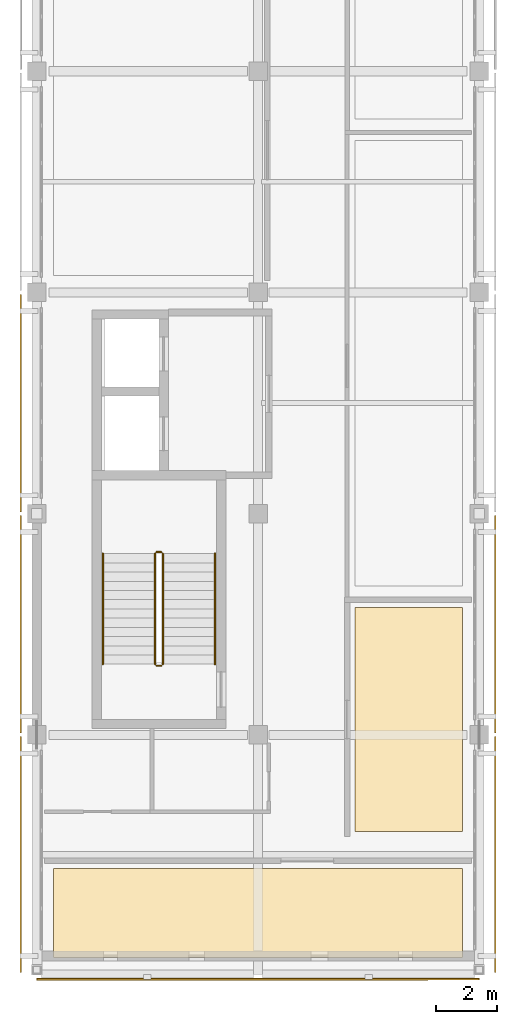
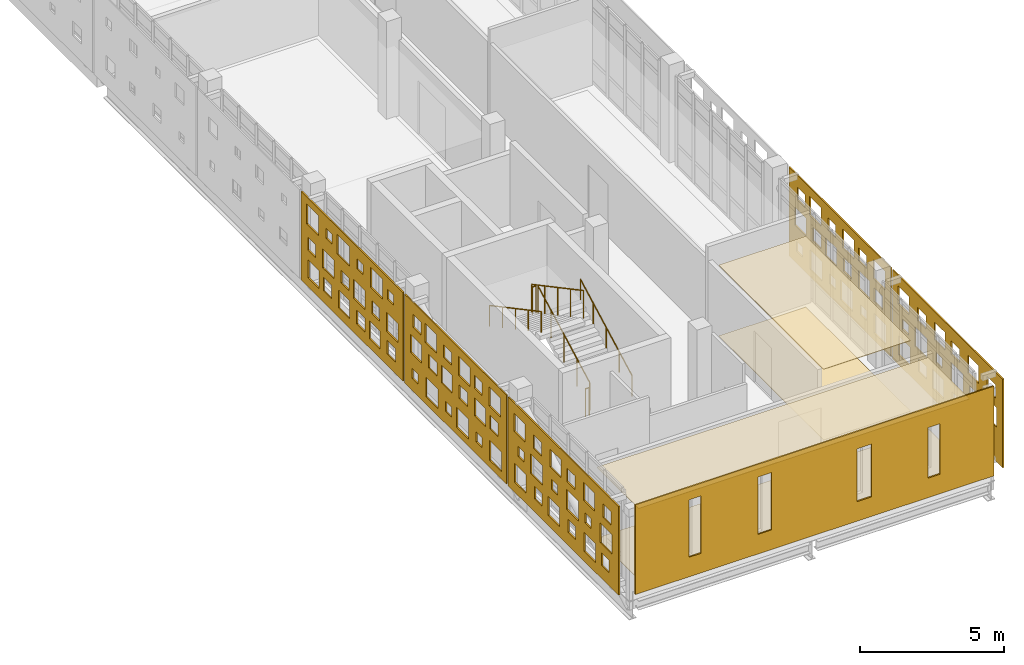
# One storey, part 19 of 21: 10 coverings, 6 railings.
"""IFC4 building model written with IfcOpenShell, lengths in metres."""

from ifc_helpers import new_model, si_unit, direction, frame, origin, origin_2d, place, context, subcontext, project, spatial, polyline, circle, outline, extrude, material, layer, layer_set, type_object, element, save


model = new_model("IFC4")

# Units and contexts
model_context = context("Model", 3, precision=1e-05, world=origin(), true_north=direction((0.0, 1.0)))
body_context = subcontext(model_context, "Body", "Model", "MODEL_VIEW")
ifc_project = project(units=[si_unit("LENGTHUNIT", "METRE"), si_unit("AREAUNIT", "SQUARE_METRE"), si_unit("VOLUMEUNIT", "CUBIC_METRE"), si_unit("PLANEANGLEUNIT", "RADIAN"), si_unit("MASSUNIT", "GRAM", prefix="KILO")], contexts=[model_context])

# Site, building, storey
site_placement = place(None, origin())
site = spatial("IfcSite", under=ifc_project, at=site_placement, CompositionType="ELEMENT")
building_placement = place(site_placement, origin())
building = spatial("IfcBuilding", under=site, at=building_placement, Name="Valkovuoma Quantum and Materials Research Institute", CompositionType="ELEMENT")
storey_placement = place(building_placement, frame((0.0, 0.0, 29.760009765625)))
storey = spatial("IfcBuildingStorey", under=building, at=storey_placement, Name="L07", CompositionType="ELEMENT", Elevation=29.760009765625)

# Coverings
ifc_material_1 = material(Name="Cleanable acoustic mineral-fibre suspended ceiling", Category="masonry")
ifc_layer_1 = layer(ifc_material_1, 0.02490234375)
ifc_layer_set_1 = layer_set([ifc_layer_1], Name="Cleanable acoustic mineral-fibre suspended ceiling")
covering_type_1 = type_object("IfcCoveringType", Name="Cov-CEIL-01", PredefinedType="CEILING", material=ifc_layer_set_1)
covering_1_placement = place(storey_placement, frame((0.0, 0.0, 3.0)))
element("IfcCovering", 1, at=covering_1_placement, inside=storey, type_object=covering_type_1, Name="L07 acoustic ceiling 0147", PredefinedType="CEILING", context=body_context, shape_type="SweptSolid", body=[
    extrude(outline(polyline([(0.550048828125, 21.550048828125), (13.85009765625, 21.550048828125), (13.85009765625, 24.449951171875), (0.550048828125, 24.449951171875), (0.550048828125, 21.550048828125)])), origin(), (0.0, 0.0, 1.0), 0.02490234375),
])
covering_2_placement = place(storey_placement, frame((0.0, 0.0, 3.0)))
element("IfcCovering", 2, at=covering_2_placement, inside=storey, type_object=covering_type_1, Name="L07 acoustic ceiling 0151", PredefinedType="CEILING", context=body_context, shape_type="SweptSolid", body=[
    extrude(outline(polyline([(10.35009765625, 25.64990234375), (13.85009765625, 25.64990234375), (13.85009765625, 32.949951171875), (10.35009765625, 32.949951171875), (10.35009765625, 25.64990234375)])), origin(), (0.0, 0.0, 1.0), 0.02490234375),
])
ifc_material_2 = material(Name="Seamless dissipative laboratory resin flooring", Category="masonry")
ifc_layer_2 = layer(ifc_material_2, 0.014892578125)
ifc_layer_set_2 = layer_set([ifc_layer_2], Name="Seamless dissipative laboratory resin flooring")
covering_type_2 = type_object("IfcCoveringType", Name="Cov-FLOR-01", PredefinedType="FLOORING", material=ifc_layer_set_2)
covering_3_placement = place(storey_placement, origin())
element("IfcCovering", 3, at=covering_3_placement, inside=storey, type_object=covering_type_2, Name="L07 resin flooring 0147", PredefinedType="FLOORING", context=body_context, shape_type="SweptSolid", body=[
    extrude(outline(polyline([(0.550048828125, 21.550048828125), (13.85009765625, 21.550048828125), (13.85009765625, 24.449951171875), (0.550048828125, 24.449951171875), (0.550048828125, 21.550048828125)])), origin(), (0.0, 0.0, 1.0), 0.014892578125),
])
covering_4_placement = place(storey_placement, origin())
element("IfcCovering", 4, at=covering_4_placement, inside=storey, type_object=covering_type_2, Name="L07 resin flooring 0151", PredefinedType="FLOORING", context=body_context, shape_type="SweptSolid", body=[
    extrude(outline(polyline([(10.35009765625, 25.64990234375), (13.85009765625, 25.64990234375), (13.85009765625, 32.949951171875), (10.35009765625, 32.949951171875), (10.35009765625, 25.64990234375)])), origin(), (0.0, 0.0, 1.0), 0.014892578125),
])
ifc_material_3 = material(Name="White powder-coated aluminium architectural panel", Category="aluminium")
ifc_layer_3 = layer(ifc_material_3, 0.054931640625)
ifc_layer_set_3 = layer_set([ifc_layer_3], Name="White powder-coated aluminium architectural panel")
covering_type_3 = type_object("IfcCoveringType", Name="Cov-PERF-DENSE", PredefinedType="CLADDING", material=ifc_layer_set_3)
covering_5_placement = place(storey_placement, frame((-0.52001953125, 21.06005859375, 0.02001953125), z_axis=(0.0, 0.0, 1.0), x_axis=(0.0, 1.0, 0.0)))
element("IfcCovering", 5, at=covering_5_placement, inside=storey, type_object=covering_type_3, Name="L07 graduated perforated white screen W-0096", PredefinedType="CLADDING", context=body_context, shape_type="SweptSolid", body=[
    extrude(outline(polyline([(0.0, 0.0), (7.679931640625, 0.0), (7.679931640625, 3.77001953125), (0.0, 3.77001953125), (0.0, 0.0)]), holes=[polyline([(0.63818359375, 0.554931640625), (0.63818359375, 1.094970703125), (1.17822265625, 1.094970703125), (1.17822265625, 0.554931640625), (0.63818359375, 0.554931640625)]), polyline([(0.42822265625, 1.465087890625), (0.42822265625, 2.304931640625), (1.268310546875, 2.304931640625), (1.268310546875, 1.465087890625), (0.42822265625, 1.465087890625)]), polyline([(0.498291015625, 2.655029296875), (0.498291015625, 3.235107421875), (1.078369140625, 3.235107421875), (1.078369140625, 2.655029296875), (0.498291015625, 2.655029296875)]), polyline([(1.5849609375, 0.425048828125), (1.5849609375, 1.22509765625), (2.385009765625, 1.22509765625), (2.385009765625, 0.425048828125), (1.5849609375, 0.425048828125)]), polyline([(1.89501953125, 1.675048828125), (1.89501953125, 2.094970703125), (2.31494140625, 2.094970703125), (2.31494140625, 1.675048828125), (1.89501953125, 1.675048828125)]), polyline([(1.6650390625, 2.56494140625), (1.6650390625, 3.324951171875), (2.425048828125, 3.324951171875), (2.425048828125, 2.56494140625), (1.6650390625, 2.56494140625)]), polyline([(2.9716796875, 0.554931640625), (2.9716796875, 1.094970703125), (3.51171875, 1.094970703125), (3.51171875, 0.554931640625), (2.9716796875, 0.554931640625)]), polyline([(2.76171875, 1.465087890625), (2.76171875, 2.304931640625), (3.601806640625, 2.304931640625), (3.601806640625, 1.465087890625), (2.76171875, 1.465087890625)]), polyline([(3.01171875, 2.655029296875), (3.01171875, 3.235107421875), (3.591796875, 3.235107421875), (3.591796875, 2.655029296875), (3.01171875, 2.655029296875)]), polyline([(4.098388671875, 0.425048828125), (4.098388671875, 1.22509765625), (4.898193359375, 1.22509765625), (4.898193359375, 0.425048828125), (4.098388671875, 0.425048828125)]), polyline([(4.228271484375, 1.675048828125), (4.228271484375, 2.094970703125), (4.648193359375, 2.094970703125), (4.648193359375, 1.675048828125), (4.228271484375, 1.675048828125)]), polyline([(3.998291015625, 2.56494140625), (3.998291015625, 3.324951171875), (4.75830078125, 3.324951171875), (4.75830078125, 2.56494140625), (3.998291015625, 2.56494140625)]), polyline([(5.304931640625, 0.554931640625), (5.304931640625, 1.094970703125), (5.844970703125, 1.094970703125), (5.844970703125, 0.554931640625), (5.304931640625, 0.554931640625)]), polyline([(5.27490234375, 1.465087890625), (5.27490234375, 2.304931640625), (6.114990234375, 2.304931640625), (6.114990234375, 1.465087890625), (5.27490234375, 1.465087890625)]), polyline([(5.344970703125, 2.655029296875), (5.344970703125, 3.235107421875), (5.925048828125, 3.235107421875), (5.925048828125, 2.655029296875), (5.344970703125, 2.655029296875)]), polyline([(6.431640625, 0.425048828125), (6.431640625, 1.22509765625), (7.231689453125, 1.22509765625), (7.231689453125, 0.425048828125), (6.431640625, 0.425048828125)]), polyline([(6.561767578125, 1.675048828125), (6.561767578125, 2.094970703125), (6.981689453125, 2.094970703125), (6.981689453125, 1.675048828125), (6.561767578125, 1.675048828125)]), polyline([(6.51171875, 2.56494140625), (6.51171875, 3.324951171875), (7.271728515625, 3.324951171875), (7.271728515625, 2.56494140625), (6.51171875, 2.56494140625)])]), frame((0.0, 0.02734375, 0.0), z_axis=(0.0, -1.0, 0.0), x_axis=(1.0, 0.0, 0.0)), (0.0, 0.0, 1.0), 0.054931640625),
])
covering_6_placement = place(storey_placement, frame((14.919921875, 21.06005859375, 0.02001953125), z_axis=(0.0, 0.0, 1.0), x_axis=(0.0, 1.0, 0.0)))
element("IfcCovering", 6, at=covering_6_placement, inside=storey, type_object=covering_type_3, Name="L07 graduated perforated white screen E-0097", PredefinedType="CLADDING", context=body_context, shape_type="SweptSolid", body=[
    extrude(outline(polyline([(0.0, 0.0), (7.679931640625, 0.0), (7.679931640625, 3.77001953125), (0.0, 3.77001953125), (0.0, 0.0)]), holes=[polyline([(0.63818359375, 0.554931640625), (0.63818359375, 1.094970703125), (1.17822265625, 1.094970703125), (1.17822265625, 0.554931640625), (0.63818359375, 0.554931640625)]), polyline([(0.42822265625, 1.465087890625), (0.42822265625, 2.304931640625), (1.268310546875, 2.304931640625), (1.268310546875, 1.465087890625), (0.42822265625, 1.465087890625)]), polyline([(0.498291015625, 2.655029296875), (0.498291015625, 3.235107421875), (1.078369140625, 3.235107421875), (1.078369140625, 2.655029296875), (0.498291015625, 2.655029296875)]), polyline([(1.5849609375, 0.425048828125), (1.5849609375, 1.22509765625), (2.385009765625, 1.22509765625), (2.385009765625, 0.425048828125), (1.5849609375, 0.425048828125)]), polyline([(1.89501953125, 1.675048828125), (1.89501953125, 2.094970703125), (2.31494140625, 2.094970703125), (2.31494140625, 1.675048828125), (1.89501953125, 1.675048828125)]), polyline([(1.6650390625, 2.56494140625), (1.6650390625, 3.324951171875), (2.425048828125, 3.324951171875), (2.425048828125, 2.56494140625), (1.6650390625, 2.56494140625)]), polyline([(2.9716796875, 0.554931640625), (2.9716796875, 1.094970703125), (3.51171875, 1.094970703125), (3.51171875, 0.554931640625), (2.9716796875, 0.554931640625)]), polyline([(2.76171875, 1.465087890625), (2.76171875, 2.304931640625), (3.601806640625, 2.304931640625), (3.601806640625, 1.465087890625), (2.76171875, 1.465087890625)]), polyline([(3.01171875, 2.655029296875), (3.01171875, 3.235107421875), (3.591796875, 3.235107421875), (3.591796875, 2.655029296875), (3.01171875, 2.655029296875)]), polyline([(4.098388671875, 0.425048828125), (4.098388671875, 1.22509765625), (4.898193359375, 1.22509765625), (4.898193359375, 0.425048828125), (4.098388671875, 0.425048828125)]), polyline([(4.228271484375, 1.675048828125), (4.228271484375, 2.094970703125), (4.648193359375, 2.094970703125), (4.648193359375, 1.675048828125), (4.228271484375, 1.675048828125)]), polyline([(3.998291015625, 2.56494140625), (3.998291015625, 3.324951171875), (4.75830078125, 3.324951171875), (4.75830078125, 2.56494140625), (3.998291015625, 2.56494140625)]), polyline([(5.304931640625, 0.554931640625), (5.304931640625, 1.094970703125), (5.844970703125, 1.094970703125), (5.844970703125, 0.554931640625), (5.304931640625, 0.554931640625)]), polyline([(5.27490234375, 1.465087890625), (5.27490234375, 2.304931640625), (6.114990234375, 2.304931640625), (6.114990234375, 1.465087890625), (5.27490234375, 1.465087890625)]), polyline([(5.344970703125, 2.655029296875), (5.344970703125, 3.235107421875), (5.925048828125, 3.235107421875), (5.925048828125, 2.655029296875), (5.344970703125, 2.655029296875)]), polyline([(6.431640625, 0.425048828125), (6.431640625, 1.22509765625), (7.231689453125, 1.22509765625), (7.231689453125, 0.425048828125), (6.431640625, 0.425048828125)]), polyline([(6.561767578125, 1.675048828125), (6.561767578125, 2.094970703125), (6.981689453125, 2.094970703125), (6.981689453125, 1.675048828125), (6.561767578125, 1.675048828125)]), polyline([(6.51171875, 2.56494140625), (6.51171875, 3.324951171875), (7.271728515625, 3.324951171875), (7.271728515625, 2.56494140625), (6.51171875, 2.56494140625)])]), frame((0.0, 0.02734375, 0.0), z_axis=(0.0, -1.0, 0.0), x_axis=(1.0, 0.0, 0.0)), (0.0, 0.0, 1.0), 0.054931640625),
])
covering_7_placement = place(storey_placement, frame((-0.52001953125, 28.860107421875, 0.02001953125), z_axis=(0.0, 0.0, 1.0), x_axis=(0.0, 1.0, 0.0)))
element("IfcCovering", 7, at=covering_7_placement, inside=storey, type_object=covering_type_3, Name="L07 graduated perforated white screen W-0098", PredefinedType="CLADDING", context=body_context, shape_type="SweptSolid", body=[
    extrude(outline(polyline([(0.0, 0.0), (7.079833984375, 0.0), (7.079833984375, 3.77001953125), (0.0, 3.77001953125), (0.0, 0.0)]), holes=[polyline([(0.318359375, 0.304931640625), (0.318359375, 1.14501953125), (1.158203125, 1.14501953125), (1.158203125, 0.304931640625), (0.318359375, 0.304931640625)]), polyline([(0.568359375, 1.64501953125), (0.568359375, 2.22509765625), (1.148193359375, 2.22509765625), (1.148193359375, 1.64501953125), (0.568359375, 1.64501953125)]), polyline([(0.398193359375, 2.594970703125), (0.398193359375, 3.39501953125), (1.1982421875, 3.39501953125), (1.1982421875, 2.594970703125), (0.398193359375, 2.594970703125)]), polyline([(1.68505859375, 0.514892578125), (1.68505859375, 0.93505859375), (2.10498046875, 0.93505859375), (2.10498046875, 0.514892578125), (1.68505859375, 0.514892578125)]), polyline([(1.455078125, 1.554931640625), (1.455078125, 2.31494140625), (2.215087890625, 2.31494140625), (2.215087890625, 1.554931640625), (1.455078125, 1.554931640625)]), polyline([(1.68505859375, 2.72509765625), (1.68505859375, 3.264892578125), (2.22509765625, 3.264892578125), (2.22509765625, 2.72509765625), (1.68505859375, 2.72509765625)]), polyline([(2.631591796875, 0.304931640625), (2.631591796875, 1.14501953125), (3.4716796875, 1.14501953125), (3.4716796875, 0.304931640625), (2.631591796875, 0.304931640625)]), polyline([(2.70166015625, 1.64501953125), (2.70166015625, 2.22509765625), (3.28173828125, 2.22509765625), (3.28173828125, 1.64501953125), (2.70166015625, 1.64501953125)]), polyline([(2.53173828125, 2.594970703125), (2.53173828125, 3.39501953125), (3.331787109375, 3.39501953125), (3.331787109375, 2.594970703125), (2.53173828125, 2.594970703125)]), polyline([(3.818359375, 0.514892578125), (3.818359375, 0.93505859375), (4.23828125, 0.93505859375), (4.23828125, 0.514892578125), (3.818359375, 0.514892578125)]), polyline([(3.768310546875, 1.554931640625), (3.768310546875, 2.31494140625), (4.5283203125, 2.31494140625), (4.5283203125, 1.554931640625), (3.768310546875, 1.554931640625)]), polyline([(3.818359375, 2.72509765625), (3.818359375, 3.264892578125), (4.3583984375, 3.264892578125), (4.3583984375, 2.72509765625), (3.818359375, 2.72509765625)]), polyline([(4.764892578125, 0.304931640625), (4.764892578125, 1.14501953125), (5.60498046875, 1.14501953125), (5.60498046875, 0.304931640625), (4.764892578125, 0.304931640625)]), polyline([(4.8349609375, 1.64501953125), (4.8349609375, 2.22509765625), (5.4150390625, 2.22509765625), (5.4150390625, 1.64501953125), (4.8349609375, 1.64501953125)]), polyline([(4.844970703125, 2.594970703125), (4.844970703125, 3.39501953125), (5.64501953125, 3.39501953125), (5.64501953125, 2.594970703125), (4.844970703125, 2.594970703125)]), polyline([(6.131591796875, 0.514892578125), (6.131591796875, 0.93505859375), (6.5517578125, 0.93505859375), (6.5517578125, 0.514892578125), (6.131591796875, 0.514892578125)]), polyline([(5.901611328125, 1.554931640625), (5.901611328125, 2.31494140625), (6.66162109375, 2.31494140625), (6.66162109375, 1.554931640625), (5.901611328125, 1.554931640625)]), polyline([(5.95166015625, 2.72509765625), (5.95166015625, 3.264892578125), (6.49169921875, 3.264892578125), (6.49169921875, 2.72509765625), (5.95166015625, 2.72509765625)])]), frame((0.0, 0.02734375, 0.0), z_axis=(0.0, -1.0, 0.0), x_axis=(1.0, 0.0, 0.0)), (0.0, 0.0, 1.0), 0.054931640625),
])
covering_8_placement = place(storey_placement, frame((14.919921875, 28.860107421875, 0.02001953125), z_axis=(0.0, 0.0, 1.0), x_axis=(0.0, 1.0, 0.0)))
element("IfcCovering", 8, at=covering_8_placement, inside=storey, type_object=covering_type_3, Name="L07 graduated perforated white screen E-0099", PredefinedType="CLADDING", context=body_context, shape_type="SweptSolid", body=[
    extrude(outline(polyline([(0.0, 0.0), (7.079833984375, 0.0), (7.079833984375, 3.77001953125), (0.0, 3.77001953125), (0.0, 0.0)]), holes=[polyline([(0.318359375, 0.304931640625), (0.318359375, 1.14501953125), (1.158203125, 1.14501953125), (1.158203125, 0.304931640625), (0.318359375, 0.304931640625)]), polyline([(0.568359375, 1.64501953125), (0.568359375, 2.22509765625), (1.148193359375, 2.22509765625), (1.148193359375, 1.64501953125), (0.568359375, 1.64501953125)]), polyline([(0.398193359375, 2.594970703125), (0.398193359375, 3.39501953125), (1.1982421875, 3.39501953125), (1.1982421875, 2.594970703125), (0.398193359375, 2.594970703125)]), polyline([(1.68505859375, 0.514892578125), (1.68505859375, 0.93505859375), (2.10498046875, 0.93505859375), (2.10498046875, 0.514892578125), (1.68505859375, 0.514892578125)]), polyline([(1.455078125, 1.554931640625), (1.455078125, 2.31494140625), (2.215087890625, 2.31494140625), (2.215087890625, 1.554931640625), (1.455078125, 1.554931640625)]), polyline([(1.68505859375, 2.72509765625), (1.68505859375, 3.264892578125), (2.22509765625, 3.264892578125), (2.22509765625, 2.72509765625), (1.68505859375, 2.72509765625)]), polyline([(2.631591796875, 0.304931640625), (2.631591796875, 1.14501953125), (3.4716796875, 1.14501953125), (3.4716796875, 0.304931640625), (2.631591796875, 0.304931640625)]), polyline([(2.70166015625, 1.64501953125), (2.70166015625, 2.22509765625), (3.28173828125, 2.22509765625), (3.28173828125, 1.64501953125), (2.70166015625, 1.64501953125)]), polyline([(2.53173828125, 2.594970703125), (2.53173828125, 3.39501953125), (3.331787109375, 3.39501953125), (3.331787109375, 2.594970703125), (2.53173828125, 2.594970703125)]), polyline([(3.818359375, 0.514892578125), (3.818359375, 0.93505859375), (4.23828125, 0.93505859375), (4.23828125, 0.514892578125), (3.818359375, 0.514892578125)]), polyline([(3.768310546875, 1.554931640625), (3.768310546875, 2.31494140625), (4.5283203125, 2.31494140625), (4.5283203125, 1.554931640625), (3.768310546875, 1.554931640625)]), polyline([(3.818359375, 2.72509765625), (3.818359375, 3.264892578125), (4.3583984375, 3.264892578125), (4.3583984375, 2.72509765625), (3.818359375, 2.72509765625)]), polyline([(4.764892578125, 0.304931640625), (4.764892578125, 1.14501953125), (5.60498046875, 1.14501953125), (5.60498046875, 0.304931640625), (4.764892578125, 0.304931640625)]), polyline([(4.8349609375, 1.64501953125), (4.8349609375, 2.22509765625), (5.4150390625, 2.22509765625), (5.4150390625, 1.64501953125), (4.8349609375, 1.64501953125)]), polyline([(4.844970703125, 2.594970703125), (4.844970703125, 3.39501953125), (5.64501953125, 3.39501953125), (5.64501953125, 2.594970703125), (4.844970703125, 2.594970703125)]), polyline([(6.131591796875, 0.514892578125), (6.131591796875, 0.93505859375), (6.5517578125, 0.93505859375), (6.5517578125, 0.514892578125), (6.131591796875, 0.514892578125)]), polyline([(5.901611328125, 1.554931640625), (5.901611328125, 2.31494140625), (6.66162109375, 2.31494140625), (6.66162109375, 1.554931640625), (5.901611328125, 1.554931640625)]), polyline([(5.95166015625, 2.72509765625), (5.95166015625, 3.264892578125), (6.49169921875, 3.264892578125), (6.49169921875, 2.72509765625), (5.95166015625, 2.72509765625)])]), frame((0.0, 0.02734375, 0.0), z_axis=(0.0, -1.0, 0.0), x_axis=(1.0, 0.0, 0.0)), (0.0, 0.0, 1.0), 0.054931640625),
])
covering_9_placement = place(storey_placement, frame((-0.52001953125, 36.06005859375, 0.02001953125), z_axis=(0.0, 0.0, 1.0), x_axis=(0.0, 1.0, 0.0)))
element("IfcCovering", 9, at=covering_9_placement, inside=storey, type_object=covering_type_3, Name="L07 graduated perforated white screen W-0100", PredefinedType="CLADDING", context=body_context, shape_type="SweptSolid", body=[
    extrude(outline(polyline([(0.0, 0.0), (7.079833984375, 0.0), (7.079833984375, 3.77001953125), (0.0, 3.77001953125), (0.0, 0.0)]), holes=[polyline([(0.50830078125, 0.485107421875), (0.50830078125, 1.06494140625), (1.08837890625, 1.06494140625), (1.08837890625, 0.485107421875), (0.50830078125, 0.485107421875)]), polyline([(0.33837890625, 1.43505859375), (0.33837890625, 2.235107421875), (1.13818359375, 2.235107421875), (1.13818359375, 1.43505859375), (0.33837890625, 1.43505859375)]), polyline([(0.648193359375, 2.8349609375), (0.648193359375, 3.2548828125), (1.068359375, 3.2548828125), (1.068359375, 2.8349609375), (0.648193359375, 2.8349609375)]), polyline([(1.574951171875, 0.39501953125), (1.574951171875, 1.155029296875), (2.3349609375, 1.155029296875), (2.3349609375, 0.39501953125), (1.574951171875, 0.39501953125)]), polyline([(1.625, 1.56494140625), (1.625, 2.10498046875), (2.1650390625, 2.10498046875), (2.1650390625, 1.56494140625), (1.625, 1.56494140625)]), polyline([(1.4150390625, 2.625), (1.4150390625, 3.465087890625), (2.2548828125, 3.465087890625), (2.2548828125, 2.625), (1.4150390625, 2.625)]), polyline([(2.6416015625, 0.485107421875), (2.6416015625, 1.06494140625), (3.2216796875, 1.06494140625), (3.2216796875, 0.485107421875), (2.6416015625, 0.485107421875)]), polyline([(2.651611328125, 1.43505859375), (2.651611328125, 2.235107421875), (3.45166015625, 2.235107421875), (3.45166015625, 1.43505859375), (2.651611328125, 1.43505859375)]), polyline([(2.78173828125, 2.8349609375), (2.78173828125, 3.2548828125), (3.20166015625, 3.2548828125), (3.20166015625, 2.8349609375), (2.78173828125, 2.8349609375)]), polyline([(3.708251953125, 0.39501953125), (3.708251953125, 1.155029296875), (4.46826171875, 1.155029296875), (4.46826171875, 0.39501953125), (3.708251953125, 0.39501953125)]), polyline([(3.75830078125, 1.56494140625), (3.75830078125, 2.10498046875), (4.29833984375, 2.10498046875), (4.29833984375, 1.56494140625), (3.75830078125, 1.56494140625)]), polyline([(3.728271484375, 2.625), (3.728271484375, 3.465087890625), (4.568359375, 3.465087890625), (4.568359375, 2.625), (3.728271484375, 2.625)]), polyline([(4.955078125, 0.485107421875), (4.955078125, 1.06494140625), (5.534912109375, 1.06494140625), (5.534912109375, 0.485107421875), (4.955078125, 0.485107421875)]), polyline([(4.784912109375, 1.43505859375), (4.784912109375, 2.235107421875), (5.5849609375, 2.235107421875), (5.5849609375, 1.43505859375), (4.784912109375, 1.43505859375)]), polyline([(4.9150390625, 2.8349609375), (4.9150390625, 3.2548828125), (5.3349609375, 3.2548828125), (5.3349609375, 2.8349609375), (4.9150390625, 2.8349609375)]), polyline([(5.841796875, 0.39501953125), (5.841796875, 1.155029296875), (6.601806640625, 1.155029296875), (6.601806640625, 0.39501953125), (5.841796875, 0.39501953125)]), polyline([(6.07177734375, 1.56494140625), (6.07177734375, 2.10498046875), (6.61181640625, 2.10498046875), (6.61181640625, 1.56494140625), (6.07177734375, 1.56494140625)]), polyline([(5.86181640625, 2.625), (5.86181640625, 3.465087890625), (6.70166015625, 3.465087890625), (6.70166015625, 2.625), (5.86181640625, 2.625)])]), frame((0.0, 0.02734375, 0.0), z_axis=(0.0, -1.0, 0.0), x_axis=(1.0, 0.0, 0.0)), (0.0, 0.0, 1.0), 0.054931640625),
])
ifc_material_4 = material(Name="White powder-coated aluminium architectural panel", Category="aluminium")
ifc_layer_4 = layer(ifc_material_4, 0.054931640625)
ifc_layer_set_4 = layer_set([ifc_layer_4], Name="White powder-coated aluminium architectural panel")
covering_type_4 = type_object("IfcCoveringType", Name="Cov-WHITE-01", PredefinedType="CLADDING", material=ifc_layer_set_4)
covering_10_placement = place(storey_placement, frame((0.0, 20.85009765625, 0.0), z_axis=(0.0, 0.0, 1.0), x_axis=(1.0, 0.0, 0.0)))
element("IfcCovering", 10, at=covering_10_placement, inside=storey, type_object=covering_type_4, Name="L07 south white slot-window end skin", PredefinedType="CLADDING", context=body_context, shape_type="SweptSolid", body=[
    extrude(outline(polyline([(0.0, 0.0), (14.39990234375, 0.0), (14.39990234375, 3.81005859375), (0.0, 3.81005859375), (0.0, 0.0)]), holes=[polyline([(2.155029296875, 0.830078125), (2.155029296875, 3.27001953125), (2.64501953125, 3.27001953125), (2.64501953125, 0.830078125), (2.155029296875, 0.830078125)]), polyline([(4.929931640625, 0.830078125), (4.929931640625, 3.27001953125), (5.469970703125, 3.27001953125), (5.469970703125, 0.830078125), (4.929931640625, 0.830078125)]), polyline([(8.905029296875, 0.830078125), (8.905029296875, 3.070068359375), (9.4951171875, 3.070068359375), (9.4951171875, 0.830078125), (8.905029296875, 0.830078125)]), polyline([(11.7548828125, 0.830078125), (11.7548828125, 2.969970703125), (12.2451171875, 2.969970703125), (12.2451171875, 0.830078125), (11.7548828125, 0.830078125)])]), frame((0.0, 0.02734375, 0.0), z_axis=(0.0, -1.0, 0.0), x_axis=(1.0, 0.0, 0.0)), (0.0, 0.0, 1.0), 0.054931640625),
])

# Railings
ifc_material_5 = material(Name="Painted steel stair balustrade", Category="steel")
railing_type_1 = type_object("IfcRailingType", Name="Rail-GRD-ST", PredefinedType="BALUSTRADE", material=ifc_material_5)
railing_1_placement = place(storey_placement, frame((4.10009765625, 31.10009765625, 0.159912109375)))
element("IfcRailing", 11, at=railing_1_placement, inside=storey, type_object=railing_type_1, Name="L07 ST-1 stair guard 1", PredefinedType="BALUSTRADE", context=body_context, shape_type="SweptSolid", body=[
    extrude(circle(Radius=0.02392578125, at=origin_2d()), frame((0.0, 0.0, 1.17578125), z_axis=(0.0, 0.882328093246, 0.470634822203), x_axis=(-1.0, 0.0, 0.0)), (0.0, 0.0, 1.0), 4.079833984375),
    extrude(circle(Radius=0.02099609375, at=origin_2d()), origin(), (0.0, 0.0, 1.0), 1.15185546875),
    extrude(circle(Radius=0.02099609375, at=origin_2d()), frame((0.0, 0.89990234375, 0.47998046875)), (0.0, 0.0, 1.0), 1.15185546875),
    extrude(circle(Radius=0.02099609375, at=origin_2d()), frame((0.0, 1.7998046875, 0.9599609375)), (0.0, 0.0, 1.0), 1.15185546875),
    extrude(circle(Radius=0.02099609375, at=origin_2d()), frame((0.0, 2.699951171875, 1.440185546875)), (0.0, 0.0, 1.0), 1.15185546875),
    extrude(circle(Radius=0.02099609375, at=origin_2d()), frame((0.0, 3.599853515625, 1.920166015625)), (0.0, 0.0, 1.0), 1.15185546875),
])
railing_2_placement = place(storey_placement, frame((4.050048828125, 34.75, 2.080078125)))
element("IfcRailing", 12, at=railing_2_placement, inside=storey, type_object=railing_type_1, Name="L07 ST-1 stair guard 2", PredefinedType="BALUSTRADE", context=body_context, shape_type="SweptSolid", body=[
    extrude(circle(Radius=0.02392578125, at=origin_2d()), frame((0.0, 0.0, 1.17578125), z_axis=(-1.0, 0.0, 0.0), x_axis=(0.0, -1.0, 0.0)), (0.0, 0.0, 1.0), 0.150146484375),
    extrude(circle(Radius=0.02099609375, at=origin_2d()), origin(), (0.0, 0.0, 1.0), 1.15185546875),
    extrude(circle(Radius=0.02099609375, at=origin_2d()), frame((-0.150146484375, 0.0, 0.0)), (0.0, 0.0, 1.0), 1.15185546875),
])
railing_3_placement = place(storey_placement, frame((3.85009765625, 34.699951171875, 2.239990234375)))
element("IfcRailing", 13, at=railing_3_placement, inside=storey, type_object=railing_type_1, Name="L07 ST-1 stair guard 3", PredefinedType="BALUSTRADE", context=body_context, shape_type="SweptSolid", body=[
    extrude(circle(Radius=0.02392578125, at=origin_2d()), frame((0.0, 0.0, 1.17578125), z_axis=(0.0, -0.882352941176, 0.470588235294), x_axis=(1.0, 0.0, 0.0)), (0.0, 0.0, 1.0), 4.079833984375),
    extrude(circle(Radius=0.02099609375, at=origin_2d()), origin(), (0.0, 0.0, 1.0), 1.15185546875),
    extrude(circle(Radius=0.02099609375, at=origin_2d()), frame((0.0, -0.89990234375, 0.47998046875)), (0.0, 0.0, 1.0), 1.15185546875),
    extrude(circle(Radius=0.02099609375, at=origin_2d()), frame((0.0, -1.7998046875, 0.9599609375)), (0.0, 0.0, 1.0), 1.15185546875),
    extrude(circle(Radius=0.02099609375, at=origin_2d()), frame((0.0, -2.699951171875, 1.43994140625)), (0.0, 0.0, 1.0), 1.15185546875),
    extrude(circle(Radius=0.02099609375, at=origin_2d()), frame((0.0, -3.599853515625, 1.919921875)), (0.0, 0.0, 1.0), 1.15185546875),
])
railing_4_placement = place(storey_placement, frame((4.050048828125, 31.050048828125, 0.0)))
element("IfcRailing", 14, at=railing_4_placement, inside=storey, type_object=railing_type_1, Name="L07 ST-1 stair guard 4", PredefinedType="BALUSTRADE", context=body_context, shape_type="SweptSolid", body=[
    extrude(circle(Radius=0.02392578125, at=origin_2d()), frame((0.0, 0.0, 1.17578125), z_axis=(-1.0, 0.0, 0.0), x_axis=(0.0, -1.0, 0.0)), (0.0, 0.0, 1.0), 0.150146484375),
    extrude(circle(Radius=0.02099609375, at=origin_2d()), origin(), (0.0, 0.0, 1.0), 1.15185546875),
    extrude(circle(Radius=0.02099609375, at=origin_2d()), frame((-0.150146484375, 0.0, 0.0)), (0.0, 0.0, 1.0), 1.15185546875),
])
ifc_material_6 = material(Name="Brushed stainless steel handrail", Category="steel")
railing_type_2 = type_object("IfcRailingType", Name="Rail-HR-ST", PredefinedType="HANDRAIL", material=ifc_material_6)
railing_5_placement = place(storey_placement, frame((5.800048828125, 31.10009765625, 0.159912109375)))
element("IfcRailing", 15, at=railing_5_placement, inside=storey, type_object=railing_type_2, Name="L07 ST-1 stair handrail 1", PredefinedType="HANDRAIL", context=body_context, shape_type="SweptSolid", body=[
    extrude(circle(Radius=0.02392578125, at=origin_2d()), frame((0.0, 0.0, 0.8759765625), z_axis=(0.0, 0.882328093246, 0.470634822203), x_axis=(-1.0, 0.0, 0.0)), (0.0, 0.0, 1.0), 4.079833984375),
    extrude(circle(Radius=0.02099609375, at=origin_2d()), origin(), (0.0, 0.0, 1.0), 0.851806640625),
    extrude(circle(Radius=0.02099609375, at=origin_2d()), frame((0.0, 0.89990234375, 0.47998046875)), (0.0, 0.0, 1.0), 0.851806640625),
    extrude(circle(Radius=0.02099609375, at=origin_2d()), frame((0.0, 1.7998046875, 0.9599609375)), (0.0, 0.0, 1.0), 0.851806640625),
    extrude(circle(Radius=0.02099609375, at=origin_2d()), frame((0.0, 2.699951171875, 1.440185546875)), (0.0, 0.0, 1.0), 0.851806640625),
    extrude(circle(Radius=0.02099609375, at=origin_2d()), frame((0.0, 3.599853515625, 1.920166015625)), (0.0, 0.0, 1.0), 0.851806640625),
])
railing_6_placement = place(storey_placement, frame((2.14990234375, 34.699951171875, 2.239990234375)))
element("IfcRailing", 16, at=railing_6_placement, inside=storey, type_object=railing_type_2, Name="L07 ST-1 stair handrail 2", PredefinedType="HANDRAIL", context=body_context, shape_type="SweptSolid", body=[
    extrude(circle(Radius=0.02392578125, at=origin_2d()), frame((0.0, 0.0, 0.8759765625), z_axis=(0.0, -0.882352941176, 0.470588235294), x_axis=(1.0, 0.0, 0.0)), (0.0, 0.0, 1.0), 4.079833984375),
    extrude(circle(Radius=0.02099609375, at=origin_2d()), origin(), (0.0, 0.0, 1.0), 0.851806640625),
    extrude(circle(Radius=0.02099609375, at=origin_2d()), frame((0.0, -0.89990234375, 0.47998046875)), (0.0, 0.0, 1.0), 0.851806640625),
    extrude(circle(Radius=0.02099609375, at=origin_2d()), frame((0.0, -1.7998046875, 0.9599609375)), (0.0, 0.0, 1.0), 0.851806640625),
    extrude(circle(Radius=0.02099609375, at=origin_2d()), frame((0.0, -2.699951171875, 1.43994140625)), (0.0, 0.0, 1.0), 0.851806640625),
    extrude(circle(Radius=0.02099609375, at=origin_2d()), frame((0.0, -3.599853515625, 1.919921875)), (0.0, 0.0, 1.0), 0.851806640625),
])

save(model, "model.ifc")
